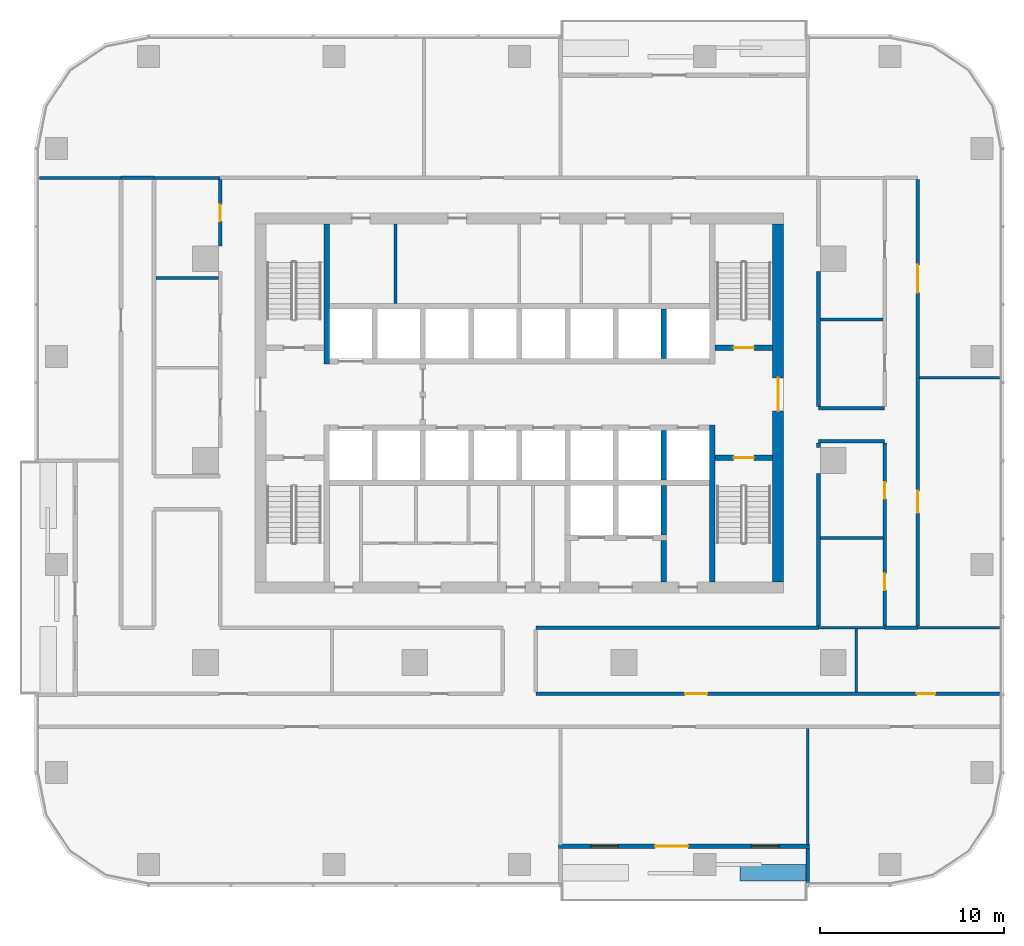
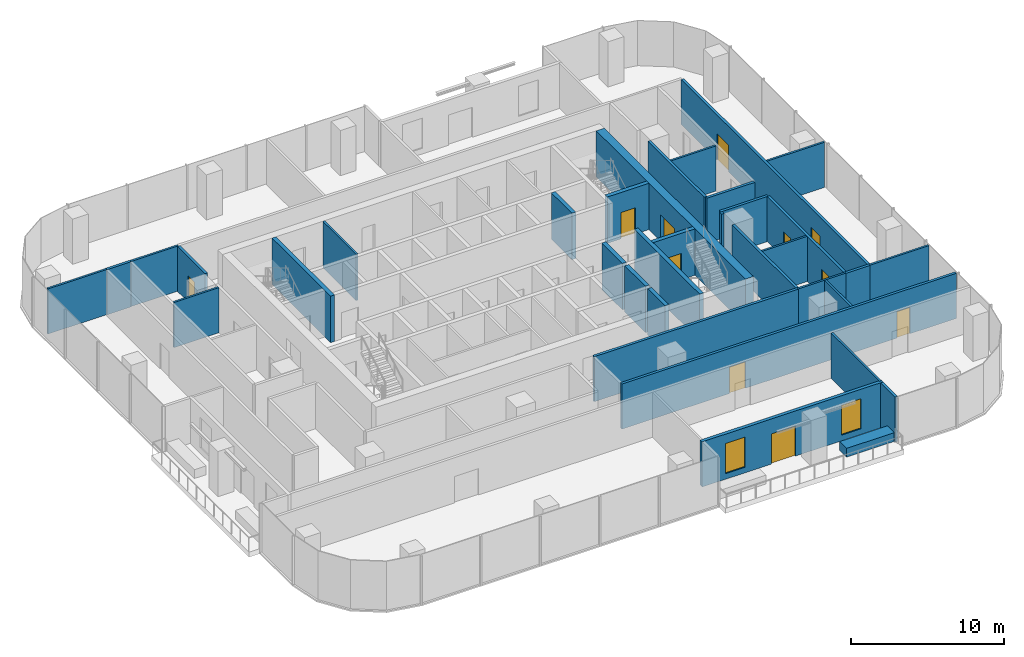
# One storey, part 9 of 14: 35 walls, 11 doors, 2 windows, 13 openings.
"""IFC4 building model written with IfcOpenShell, lengths in metres."""

from ifc_helpers import new_model, si_unit, direction, frame, frame_2d, origin, place, context, subcontext, project, spatial, rectangle, extrude, material, layer, layer_set, type_object, element, fill, save


model = new_model("IFC4")

# Units and contexts
model_context = context("Model", 3, precision=1e-05, world=origin(), true_north=direction((0.0, 1.0)))
body_context = subcontext(model_context, "Body", "Model", "MODEL_VIEW")
ifc_project = project(units=[si_unit("LENGTHUNIT", "METRE"), si_unit("AREAUNIT", "SQUARE_METRE"), si_unit("VOLUMEUNIT", "CUBIC_METRE"), si_unit("PLANEANGLEUNIT", "RADIAN"), si_unit("MASSUNIT", "GRAM", prefix="KILO")], contexts=[model_context])

# Site, building, storey
site_placement = place(None, origin())
site = spatial("IfcSite", under=ifc_project, at=site_placement, CompositionType="ELEMENT")
building_placement = place(site_placement, origin())
building = spatial("IfcBuilding", under=site, at=building_placement, Name="Mopane Tessera Tower", CompositionType="ELEMENT")
storey_placement = place(building_placement, frame((0.0, 0.0, 185.0)))
storey = spatial("IfcBuildingStorey", under=building, at=storey_placement, Name="L38", CompositionType="ELEMENT", Elevation=185.0)

# Wall
ifc_material_1 = material(Name="Fire-rated gypsum board partition")
ifc_layer_1 = layer(ifc_material_1, 0.14990234375)
ifc_layer_set_1 = layer_set([ifc_layer_1], Name="Fire-rated gypsum board partition")
wall_type_1 = type_object("IfcWallType", Name="Core room partition 150 mm", PredefinedType="PARTITIONING", material=ifc_layer_set_1)
wall_1_placement = place(storey_placement, frame((-6.75, 8.550048828125, 0.0), z_axis=(0.0, 0.0, 1.0), x_axis=(0.0, 1.0, 0.0)))
element("IfcWall", 1, at=wall_1_placement, inside=storey, type_object=wall_type_1, Name="L38 Room partition", PredefinedType="PARTITIONING", context=body_context, shape_type="SweptSolid", body=[
    extrude(rectangle(XDim=4.349853515625, YDim=0.14990234375, at=frame_2d((2.1748046875, 0.0))), origin(), (0.0, 0.0, 1.0), 3.699951171875),
])

# Wall, opening, door
ifc_material_2 = material(Name="Concrete C70/85", Category="concrete")
ifc_layer_2 = layer(ifc_material_2, 0.60009765625)
ifc_layer_set_2 = layer_set([ifc_layer_2], Name="Concrete C70/85")
wall_type_2 = type_object("IfcWallType", Name="Core shear wall 600 mm", PredefinedType="SHEAR", material=ifc_layer_set_2)
wall_2_placement = place(storey_placement, frame((14.10009765625, -6.60009765625, 0.0), z_axis=(0.0, 0.0, 1.0), x_axis=(0.0, 1.0, 0.0)))
wall_2 = element("IfcWall", 2, at=wall_2_placement, inside=storey, type_object=wall_type_2, Name="L38 Core wall east", PredefinedType="SHEAR", context=body_context, shape_type="SweptSolid", body=[
    extrude(rectangle(XDim=19.5, YDim=0.60009765625, at=frame_2d((9.75, 0.0))), origin(), (0.0, 0.0, 1.0), 3.699951171875),
])
opening_1_placement = place(wall_2_placement, frame((9.300048828125, 0.0, 0.0)))
opening_1 = element("IfcOpeningElement", 3, at=opening_1_placement, cuts=wall_2, Name="Opening SD2", PredefinedType="OPENING", context=body_context, shape_type="SweptSolid", body=[
    extrude(rectangle(XDim=1.800048828125, YDim=2.10009765625, at=frame_2d((0.89990234375, 1.050048828125))), frame((0.0, 0.31201171875, 0.0), z_axis=(0.0, -1.0, 0.0), x_axis=(1.0, 0.0, 0.0)), (0.0, 0.0, 1.0), 0.6240234375),
])
ifc_material_3 = material(Name="Steel fire door", Category="steel")
door_type_1 = type_object("IfcDoorType", Name="Core entrance double door 1800 x 2100", OperationType="DOUBLE_DOOR_SINGLE_SWING", PredefinedType="DOOR", material=ifc_material_3)
door_1_placement = place(opening_1_placement, origin())
door_1 = element("IfcDoor", 4, at=door_1_placement, inside=storey, type_object=door_type_1, Name="L38 Core entrance door east", OperationType="DOUBLE_DOOR_SINGLE_SWING", OverallHeight=2.10009765625, OverallWidth=1.800048828125, PredefinedType="DOOR", context=body_context, shape_type="SweptSolid", body=[
    extrude(rectangle(XDim=1.800048828125, YDim=2.10009765625, at=frame_2d((0.89990234375, 1.050048828125))), frame((0.0, 0.02490234375, 0.0), z_axis=(0.0, -1.0, 0.0), x_axis=(1.0, 0.0, 0.0)), (0.0, 0.0, 1.0), 0.050048828125),
])
fill(opening_1, door_1)

# Walls
ifc_material_4 = material(Name="Concrete C60/75", Category="concrete")
ifc_layer_3 = layer(ifc_material_4, 0.300048828125)
ifc_layer_set_3 = layer_set([ifc_layer_3], Name="Concrete C60/75")
wall_type_3 = type_object("IfcWallType", Name="Core spine wall 300 mm", PredefinedType="SHEAR", material=ifc_layer_set_3)
wall_3_placement = place(storey_placement, frame((-10.5, 5.25, 0.0), z_axis=(0.0, 0.0, 1.0), x_axis=(0.0, 1.0, 0.0)))
element("IfcWall", 5, at=wall_3_placement, inside=storey, type_object=wall_type_3, Name="L38 Core spine wall", PredefinedType="SHEAR", context=body_context, shape_type="SweptSolid", body=[
    extrude(rectangle(XDim=7.64990234375, YDim=0.300048828125, at=frame_2d((3.824951171875, 0.0))), origin(), (0.0, 0.0, 1.0), 3.699951171875),
])
wall_4_placement = place(storey_placement, frame((10.5, -6.60009765625, 0.0), z_axis=(0.0, 0.0, 1.0), x_axis=(0.0, 1.0, 0.0)))
element("IfcWall", 6, at=wall_4_placement, inside=storey, type_object=wall_type_3, Name="L38 Core spine wall", PredefinedType="SHEAR", context=body_context, shape_type="SweptSolid", body=[
    extrude(rectangle(XDim=8.550048828125, YDim=0.300048828125, at=frame_2d((4.27490234375, 0.0))), origin(), (0.0, 0.0, 1.0), 3.699951171875),
])

# Wall, openings, doors
ifc_material_5 = material(Name="Gypsum board on steel studs, two layers each face, mineral wool infill", Category="steel")
ifc_layer_4 = layer(ifc_material_5, 0.199951171875)
ifc_layer_set_4 = layer_set([ifc_layer_4], Name="Gypsum board on steel studs, two layers each face, mineral wool infill")
wall_type_4 = type_object("IfcWallType", Name="Gypsum board corridor wall 200, rated EI 60", PredefinedType="PARTITIONING", material=ifc_layer_set_4)
wall_5_placement = place(storey_placement, frame((0.89990234375, -12.699951171875, 0.0), z_axis=(0.0, 0.0, 1.0), x_axis=(1.0, 0.0, 0.0)))
wall_5 = element("IfcWall", 7, at=wall_5_placement, inside=storey, type_object=wall_type_4, Name="Partition L38:002", PredefinedType="PARTITIONING", context=body_context, shape_type="SweptSolid", body=[
    extrude(rectangle(XDim=25.25, YDim=0.199951171875, at=frame_2d((12.625, 0.0))), origin(), (0.0, 0.0, 1.0), 3.60009765625),
])
opening_2_placement = place(wall_5_placement, frame((20.75, 0.0, 0.0)))
opening_2 = element("IfcOpeningElement", 8, at=opening_2_placement, cuts=wall_5, Name="Opening L38-09", PredefinedType="OPENING", context=body_context, shape_type="SweptSolid", body=[
    extrude(rectangle(XDim=1.0, YDim=2.10009765625, at=frame_2d((0.5, 1.050048828125))), frame((0.0, 0.112060546875, 0.0), z_axis=(0.0, -1.0, 0.0), x_axis=(1.0, 0.0, 0.0)), (0.0, 0.0, 1.0), 0.223876953125),
])
opening_3_placement = place(wall_5_placement, frame((8.125, 0.0, 0.0)))
opening_3 = element("IfcOpeningElement", 9, at=opening_3_placement, cuts=wall_5, Name="Opening L38-10", PredefinedType="OPENING", context=body_context, shape_type="SweptSolid", body=[
    extrude(rectangle(XDim=1.199951171875, YDim=2.10009765625, at=frame_2d((0.60009765625, 1.050048828125))), frame((0.0, 0.112060546875, 0.0), z_axis=(0.0, -1.0, 0.0), x_axis=(1.0, 0.0, 0.0)), (0.0, 0.0, 1.0), 0.223876953125),
])
ifc_material_6 = material(Name="Timber veneered steel-framed fire door", Category="steel")
door_type_2 = type_object("IfcDoorType", Name="Fire door FD60 1000 x 2100", OperationType="SINGLE_SWING_LEFT", PredefinedType="DOOR", material=ifc_material_6)
door_2_placement = place(opening_2_placement, origin())
door_2 = element("IfcDoor", 10, at=door_2_placement, inside=storey, type_object=door_type_2, Name="Door L38-09", ObjectType="D12A", OperationType="SINGLE_SWING_RIGHT", OverallHeight=2.10009765625, OverallWidth=1.0, PredefinedType="DOOR", context=body_context, shape_type="SweptSolid", body=[
    extrude(rectangle(XDim=1.0, YDim=2.10009765625, at=frame_2d((0.5, 1.050048828125))), frame((0.0, 0.02490234375, 0.0), z_axis=(0.0, -1.0, 0.0), x_axis=(1.0, 0.0, 0.0)), (0.0, 0.0, 1.0), 0.050048828125),
])
fill(opening_2, door_2)
ifc_material_7 = material(Name="Timber veneered steel-framed fire door", Category="steel")
door_type_3 = type_object("IfcDoorType", Name="Fire door FD60 1200 x 2100", OperationType="SINGLE_SWING_LEFT", PredefinedType="DOOR", material=ifc_material_7)
door_3_placement = place(opening_3_placement, origin())
door_3 = element("IfcDoor", 11, at=door_3_placement, inside=storey, type_object=door_type_3, Name="Door L38-10", ObjectType="D15A", OperationType="SINGLE_SWING_LEFT", OverallHeight=2.10009765625, OverallWidth=1.199951171875, PredefinedType="DOOR", context=body_context, shape_type="SweptSolid", body=[
    extrude(rectangle(XDim=1.199951171875, YDim=2.10009765625, at=frame_2d((0.60009765625, 1.050048828125))), frame((0.0, 0.02490234375, 0.0), z_axis=(0.0, -1.0, 0.0), x_axis=(1.0, 0.0, 0.0)), (0.0, 0.0, 1.0), 0.050048828125),
])
fill(opening_3, door_3)

# Walls
wall_6_placement = place(storey_placement, frame((0.89990234375, -9.10009765625, 0.0), z_axis=(0.0, 0.0, 1.0), x_axis=(1.0, 0.0, 0.0)))
element("IfcWall", 12, at=wall_6_placement, inside=storey, type_object=wall_type_4, Name="Partition L38:007", PredefinedType="PARTITIONING", context=body_context, shape_type="SweptSolid", body=[
    extrude(rectangle(XDim=15.400146484375, YDim=0.199951171875, at=frame_2d((7.7001953125, 0.0))), origin(), (0.0, 0.0, 1.0), 3.60009765625),
])
wall_7_placement = place(storey_placement, frame((19.89990234375, -9.10009765625, 0.0), z_axis=(0.0, 0.0, 1.0), x_axis=(1.0, 0.0, 0.0)))
element("IfcWall", 13, at=wall_7_placement, inside=storey, type_object=wall_type_4, Name="Partition L38:008", PredefinedType="PARTITIONING", context=body_context, shape_type="SweptSolid", body=[
    extrude(rectangle(XDim=1.800048828125, YDim=0.199951171875, at=frame_2d((0.89990234375, 0.0))), origin(), (0.0, 0.0, 1.0), 3.60009765625),
])
for number, where, z_axis, x_axis, name in (
    (14, (16.300048828125, 1.050048828125, 0.0), (0.0, 0.0, 1.0), (1.0, 0.0, 0.0), "Partition L38:013"),
    (15, (16.300048828125, 2.85009765625, 0.0), (0.0, 0.0, 1.0), (1.0, 0.0, 0.0), "Partition L38:014"),
):
    element("IfcWall", number, at=place(storey_placement, frame(where, z_axis=z_axis, x_axis=x_axis)), inside=storey, type_object=wall_type_4, Name=name, PredefinedType="PARTITIONING", context=body_context, shape_type="SweptSolid", body=[
        extrude(rectangle(XDim=3.599853515625, YDim=0.199951171875, at=frame_2d((1.7998046875, 0.0))), origin(), (0.0, 0.0, 1.0), 3.60009765625),
    ])
wall_8_placement = place(storey_placement, frame((-21.699951171875, 15.39990234375, 0.0), z_axis=(0.0, 0.0, 1.0), x_axis=(1.0, 0.0, 0.0)))
element("IfcWall", 16, at=wall_8_placement, inside=storey, type_object=wall_type_4, Name="Partition L38:022", PredefinedType="PARTITIONING", context=body_context, shape_type="SweptSolid", body=[
    extrude(rectangle(XDim=1.800048828125, YDim=0.199951171875, at=frame_2d((0.89990234375, 0.0))), origin(), (0.0, 0.0, 1.0), 3.60009765625),
])

# Wall, opening, door
wall_9_placement = place(storey_placement, frame((-16.300048828125, 11.699951171875, 0.0), z_axis=(0.0, 0.0, 1.0), x_axis=(0.0, 1.0, 0.0)))
wall_9 = element("IfcWall", 17, at=wall_9_placement, inside=storey, type_object=wall_type_4, Name="Partition L38:030", PredefinedType="PARTITIONING", context=body_context, shape_type="SweptSolid", body=[
    extrude(rectangle(XDim=3.60009765625, YDim=0.199951171875, at=frame_2d((1.800048828125, 0.0))), origin(), (0.0, 0.0, 1.0), 3.60009765625),
])
opening_4_placement = place(wall_9_placement, frame((1.35009765625, 0.0, 0.0)))
opening_4 = element("IfcOpeningElement", 18, at=opening_4_placement, cuts=wall_9, Name="Opening L38-17", PredefinedType="OPENING", context=body_context, shape_type="SweptSolid", body=[
    extrude(rectangle(XDim=0.89990234375, YDim=2.10009765625, at=frame_2d((0.449951171875, 1.050048828125))), frame((0.0, 0.112060546875, 0.0), z_axis=(0.0, -1.0, 0.0), x_axis=(1.0, 0.0, 0.0)), (0.0, 0.0, 1.0), 0.223876953125),
])
ifc_material_8 = material(Name="Timber veneered steel-framed fire door", Category="steel")
door_type_4 = type_object("IfcDoorType", Name="Fire door FD60 900 x 2100", OperationType="SINGLE_SWING_LEFT", PredefinedType="DOOR", material=ifc_material_8)
door_4_placement = place(opening_4_placement, origin())
door_4 = element("IfcDoor", 19, at=door_4_placement, inside=storey, type_object=door_type_4, Name="Door L38-17", ObjectType="D10A", OperationType="SINGLE_SWING_RIGHT", OverallHeight=2.10009765625, OverallWidth=0.89990234375, PredefinedType="DOOR", context=body_context, shape_type="SweptSolid", body=[
    extrude(rectangle(XDim=0.89990234375, YDim=2.10009765625, at=frame_2d((0.449951171875, 1.050048828125))), frame((0.0, 0.02490234375, 0.0), z_axis=(0.0, -1.0, 0.0), x_axis=(1.0, 0.0, 0.0)), (0.0, 0.0, 1.0), 0.050048828125),
])
fill(opening_4, door_4)

# Walls
wall_10_placement = place(storey_placement, frame((16.300048828125, -9.0, 0.0), z_axis=(0.0, 0.0, 1.0), x_axis=(0.0, 1.0, 0.0)))
element("IfcWall", 20, at=wall_10_placement, inside=storey, type_object=wall_type_4, Name="Partition L38:039", PredefinedType="PARTITIONING", context=body_context, shape_type="SweptSolid", body=[
    extrude(rectangle(XDim=8.300048828125, YDim=0.199951171875, at=frame_2d((4.14990234375, 0.0))), origin(), (0.0, 0.0, 1.0), 3.60009765625),
])
wall_11_placement = place(storey_placement, frame((16.300048828125, 0.699951171875, 0.0), z_axis=(0.0, 0.0, 1.0), x_axis=(0.0, 1.0, 0.0)))
element("IfcWall", 21, at=wall_11_placement, inside=storey, type_object=wall_type_4, Name="Partition L38:040", PredefinedType="PARTITIONING", context=body_context, shape_type="SweptSolid", body=[
    extrude(rectangle(XDim=0.25, YDim=0.199951171875, at=frame_2d((0.125, 0.0))), origin(), (0.0, 0.0, 1.0), 3.60009765625),
])
wall_12_placement = place(storey_placement, frame((16.300048828125, 2.949951171875, 0.0), z_axis=(0.0, 0.0, 1.0), x_axis=(0.0, 1.0, 0.0)))
element("IfcWall", 22, at=wall_12_placement, inside=storey, type_object=wall_type_4, Name="Partition L38:041", PredefinedType="PARTITIONING", context=body_context, shape_type="SweptSolid", body=[
    extrude(rectangle(XDim=7.35009765625, YDim=0.199951171875, at=frame_2d((3.675048828125, 0.0))), origin(), (0.0, 0.0, 1.0), 3.60009765625),
])

# Wall, openings, doors
wall_13_placement = place(storey_placement, frame((19.89990234375, -9.0, 0.0), z_axis=(0.0, 0.0, 1.0), x_axis=(0.0, 1.0, 0.0)))
wall_13 = element("IfcWall", 23, at=wall_13_placement, inside=storey, type_object=wall_type_4, Name="Partition L38:044", PredefinedType="PARTITIONING", context=body_context, shape_type="SweptSolid", body=[
    extrude(rectangle(XDim=9.949951171875, YDim=0.199951171875, at=frame_2d((4.97509765625, 0.0))), origin(), (0.0, 0.0, 1.0), 3.60009765625),
])
opening_5_placement = place(wall_13_placement, frame((1.9423828125, 0.0, 0.0)))
opening_5 = element("IfcOpeningElement", 24, at=opening_5_placement, cuts=wall_13, Name="Opening L38-05", PredefinedType="OPENING", context=body_context, shape_type="SweptSolid", body=[
    extrude(rectangle(XDim=0.89990234375, YDim=2.10009765625, at=frame_2d((0.449951171875, 1.050048828125))), frame((0.0, 0.112060546875, 0.0), z_axis=(0.0, -1.0, 0.0), x_axis=(1.0, 0.0, 0.0)), (0.0, 0.0, 1.0), 0.223876953125),
])
opening_6_placement = place(wall_13_placement, frame((6.91748046875, 0.0, 0.0)))
opening_6 = element("IfcOpeningElement", 25, at=opening_6_placement, cuts=wall_13, Name="Opening L38-07", PredefinedType="OPENING", context=body_context, shape_type="SweptSolid", body=[
    extrude(rectangle(XDim=0.89990234375, YDim=2.10009765625, at=frame_2d((0.449951171875, 1.050048828125))), frame((0.0, 0.112060546875, 0.0), z_axis=(0.0, -1.0, 0.0), x_axis=(1.0, 0.0, 0.0)), (0.0, 0.0, 1.0), 0.223876953125),
])
door_5_placement = place(opening_5_placement, origin())
door_5 = element("IfcDoor", 26, at=door_5_placement, inside=storey, type_object=door_type_4, Name="Door L38-05", ObjectType="D10A", OperationType="SINGLE_SWING_RIGHT", OverallHeight=2.10009765625, OverallWidth=0.89990234375, PredefinedType="DOOR", context=body_context, shape_type="SweptSolid", body=[
    extrude(rectangle(XDim=0.89990234375, YDim=2.10009765625, at=frame_2d((0.449951171875, 1.050048828125))), frame((0.0, 0.02490234375, 0.0), z_axis=(0.0, -1.0, 0.0), x_axis=(1.0, 0.0, 0.0)), (0.0, 0.0, 1.0), 0.050048828125),
])
fill(opening_5, door_5)
door_6_placement = place(opening_6_placement, origin())
door_6 = element("IfcDoor", 27, at=door_6_placement, inside=storey, type_object=door_type_4, Name="Door L38-07", ObjectType="D10A", OperationType="SINGLE_SWING_RIGHT", OverallHeight=2.10009765625, OverallWidth=0.89990234375, PredefinedType="DOOR", context=body_context, shape_type="SweptSolid", body=[
    extrude(rectangle(XDim=0.89990234375, YDim=2.10009765625, at=frame_2d((0.449951171875, 1.050048828125))), frame((0.0, 0.02490234375, 0.0), z_axis=(0.0, -1.0, 0.0), x_axis=(1.0, 0.0, 0.0)), (0.0, 0.0, 1.0), 0.050048828125),
])
fill(opening_6, door_6)

wall_14_placement = place(storey_placement, frame((21.699951171875, -9.0, 0.0), z_axis=(0.0, 0.0, 1.0), x_axis=(0.0, 1.0, 0.0)))
wall_14 = element("IfcWall", 28, at=wall_14_placement, inside=storey, type_object=wall_type_4, Name="Partition L38:046", PredefinedType="PARTITIONING", context=body_context, shape_type="SweptSolid", body=[
    extrude(rectangle(XDim=24.300048828125, YDim=0.199951171875, at=frame_2d((12.14990234375, 0.0))), origin(), (0.0, 0.0, 1.0), 3.60009765625),
])
opening_7_placement = place(wall_14_placement, frame((18.155029296875, 0.0, 0.0)))
opening_7 = element("IfcOpeningElement", 29, at=opening_7_placement, cuts=wall_14, Name="Opening L38-02", PredefinedType="OPENING", context=body_context, shape_type="SweptSolid", body=[
    extrude(rectangle(XDim=1.5, YDim=2.10009765625, at=frame_2d((0.75, 1.050048828125))), frame((0.0, 0.112060546875, 0.0), z_axis=(0.0, -1.0, 0.0), x_axis=(1.0, 0.0, 0.0)), (0.0, 0.0, 1.0), 0.223876953125),
])
opening_8_placement = place(wall_14_placement, frame((6.155029296875, 0.0, 0.0)))
opening_8 = element("IfcOpeningElement", 30, at=opening_8_placement, cuts=wall_14, Name="Opening L38-16", PredefinedType="OPENING", context=body_context, shape_type="SweptSolid", body=[
    extrude(rectangle(XDim=1.199951171875, YDim=2.10009765625, at=frame_2d((0.60009765625, 1.050048828125))), frame((0.0, 0.112060546875, 0.0), z_axis=(0.0, -1.0, 0.0), x_axis=(1.0, 0.0, 0.0)), (0.0, 0.0, 1.0), 0.223876953125),
])
door_7_placement = place(opening_8_placement, origin())
door_7 = element("IfcDoor", 31, at=door_7_placement, inside=storey, type_object=door_type_3, Name="Door L38-16", ObjectType="D15A", OperationType="SINGLE_SWING_RIGHT", OverallHeight=2.10009765625, OverallWidth=1.199951171875, PredefinedType="DOOR", context=body_context, shape_type="SweptSolid", body=[
    extrude(rectangle(XDim=1.199951171875, YDim=2.10009765625, at=frame_2d((0.60009765625, 1.050048828125))), frame((0.0, 0.02490234375, 0.0), z_axis=(0.0, -1.0, 0.0), x_axis=(1.0, 0.0, 0.0)), (0.0, 0.0, 1.0), 0.050048828125),
])
fill(opening_8, door_7)
ifc_material_9 = material(Name="Timber veneered steel-framed fire door", Category="steel")
door_type_5 = type_object("IfcDoorType", Name="Fire door pair FD60 1500 x 2100", OperationType="DOUBLE_DOOR_SINGLE_SWING", PredefinedType="DOOR", material=ifc_material_9)
door_8_placement = place(opening_7_placement, origin())
door_8 = element("IfcDoor", 32, at=door_8_placement, inside=storey, type_object=door_type_5, Name="Door L38-02", ObjectType="D17A", OperationType="DOUBLE_DOOR_SINGLE_SWING", OverallHeight=2.10009765625, OverallWidth=1.5, PredefinedType="DOOR", context=body_context, shape_type="SweptSolid", body=[
    extrude(rectangle(XDim=1.5, YDim=2.10009765625, at=frame_2d((0.75, 1.050048828125))), frame((0.0, 0.02490234375, 0.0), z_axis=(0.0, -1.0, 0.0), x_axis=(1.0, 0.0, 0.0)), (0.0, 0.0, 1.0), 0.050048828125),
])
fill(opening_7, door_8)

# Walls
ifc_material_10 = material(Name="Gypsum board on steel studs, mineral wool infill", Category="steel")
ifc_layer_5 = layer(ifc_material_10, 0.14990234375)
ifc_layer_set_5 = layer_set([ifc_layer_5], Name="Gypsum board on steel studs, mineral wool infill")
wall_type_5 = type_object("IfcWallType", Name="Gypsum board partition 150, rated EI 60", PredefinedType="PARTITIONING", material=ifc_layer_set_5)
wall_15_placement = place(storey_placement, frame((16.300048828125, -9.10009765625, 0.0), z_axis=(0.0, 0.0, 1.0), x_axis=(1.0, 0.0, 0.0)))
element("IfcWall", 33, at=wall_15_placement, inside=storey, type_object=wall_type_5, Name="Partition L38:003", PredefinedType="PARTITIONING", context=body_context, shape_type="SweptSolid", body=[
    extrude(rectangle(XDim=3.599853515625, YDim=0.14990234375, at=frame_2d((1.7998046875, 0.0))), origin(), (0.0, 0.0, 1.0), 3.60009765625),
])
wall_16_placement = place(storey_placement, frame((21.699951171875, -9.10009765625, 0.0), z_axis=(0.0, 0.0, 1.0), x_axis=(1.0, 0.0, 0.0)))
element("IfcWall", 34, at=wall_16_placement, inside=storey, type_object=wall_type_5, Name="Partition L38:004", PredefinedType="PARTITIONING", context=body_context, shape_type="SweptSolid", body=[
    extrude(rectangle(XDim=4.449951171875, YDim=0.14990234375, at=frame_2d((2.22509765625, 0.0))), origin(), (0.0, 0.0, 1.0), 3.60009765625),
])
wall_17_placement = place(storey_placement, frame((16.39990234375, -4.215087890625, 0.0), z_axis=(0.0, 0.0, 1.0), x_axis=(1.0, 0.0, 0.0)))
element("IfcWall", 35, at=wall_17_placement, inside=storey, type_object=wall_type_5, Name="Partition L38:009", PredefinedType="PARTITIONING", context=body_context, shape_type="SweptSolid", body=[
    extrude(rectangle(XDim=3.400146484375, YDim=0.14990234375, at=frame_2d((1.7001953125, 0.0))), origin(), (0.0, 0.0, 1.0), 3.60009765625),
])
wall_18_placement = place(storey_placement, frame((21.800048828125, 4.510009765625, 0.0), z_axis=(0.0, 0.0, 1.0), x_axis=(1.0, 0.0, 0.0)))
element("IfcWall", 36, at=wall_18_placement, inside=storey, type_object=wall_type_5, Name="Partition L38:015", PredefinedType="PARTITIONING", context=body_context, shape_type="SweptSolid", body=[
    extrude(rectangle(XDim=4.349853515625, YDim=0.14990234375, at=frame_2d((2.1748046875, 0.0))), origin(), (0.0, 0.0, 1.0), 3.60009765625),
])
for number, where, z_axis, x_axis, name in (
    (37, (16.39990234375, 7.68505859375, 0.0), (0.0, 0.0, 1.0), (1.0, 0.0, 0.0), "Partition L38:017"),
    (38, (-19.800048828125, 9.945068359375, 0.0), (0.0, 0.0, 1.0), (1.0, 0.0, 0.0), "Partition L38:018"),
):
    element("IfcWall", number, at=place(storey_placement, frame(where, z_axis=z_axis, x_axis=x_axis)), inside=storey, type_object=wall_type_5, Name=name, PredefinedType="PARTITIONING", context=body_context, shape_type="SweptSolid", body=[
        extrude(rectangle(XDim=3.400146484375, YDim=0.14990234375, at=frame_2d((1.7001953125, 0.0))), origin(), (0.0, 0.0, 1.0), 3.60009765625),
    ])
wall_19_placement = place(storey_placement, frame((-26.14990234375, 15.39990234375, 0.0), z_axis=(0.0, 0.0, 1.0), x_axis=(1.0, 0.0, 0.0)))
element("IfcWall", 39, at=wall_19_placement, inside=storey, type_object=wall_type_5, Name="Partition L38:019", PredefinedType="PARTITIONING", context=body_context, shape_type="SweptSolid", body=[
    extrude(rectangle(XDim=4.449951171875, YDim=0.14990234375, at=frame_2d((2.22509765625, 0.0))), origin(), (0.0, 0.0, 1.0), 3.60009765625),
])
wall_20_placement = place(storey_placement, frame((-19.89990234375, 15.39990234375, 0.0), z_axis=(0.0, 0.0, 1.0), x_axis=(1.0, 0.0, 0.0)))
element("IfcWall", 40, at=wall_20_placement, inside=storey, type_object=wall_type_5, Name="Partition L38:020", PredefinedType="PARTITIONING", context=body_context, shape_type="SweptSolid", body=[
    extrude(rectangle(XDim=3.599853515625, YDim=0.14990234375, at=frame_2d((1.7998046875, 0.0))), origin(), (0.0, 0.0, 1.0), 3.60009765625),
])
wall_21_placement = place(storey_placement, frame((15.7099609375, -20.949951171875, 0.0), z_axis=(0.0, 0.0, 1.0), x_axis=(0.0, 1.0, 0.0)))
element("IfcWall", 41, at=wall_21_placement, inside=storey, type_object=wall_type_5, Name="Partition L38:037", PredefinedType="PARTITIONING", context=body_context, shape_type="SweptSolid", body=[
    extrude(rectangle(XDim=6.349853515625, YDim=0.14990234375, at=frame_2d((3.1748046875, 0.0))), origin(), (0.0, 0.0, 1.0), 3.60009765625),
])
wall_22_placement = place(storey_placement, frame((18.35009765625, -12.60009765625, 0.0), z_axis=(0.0, 0.0, 1.0), x_axis=(0.0, 1.0, 0.0)))
element("IfcWall", 42, at=wall_22_placement, inside=storey, type_object=wall_type_5, Name="Partition L38:043", PredefinedType="PARTITIONING", context=body_context, shape_type="SweptSolid", body=[
    extrude(rectangle(XDim=3.425048828125, YDim=0.14990234375, at=frame_2d((1.71240234375, 0.0))), origin(), (0.0, 0.0, 1.0), 3.60009765625),
])

# Wall, opening, door
ifc_material_11 = material(Name="Concrete C50/60", Category="concrete")
ifc_layer_6 = layer(ifc_material_11, 0.300048828125)
ifc_layer_set_6 = layer_set([ifc_layer_6], Name="Concrete C50/60")
wall_type_6 = type_object("IfcWallType", Name="Lift and stair shaft wall 300 mm", PredefinedType="SOLIDWALL", material=ifc_layer_set_6)
wall_23_placement = place(storey_placement, frame((10.64990234375, 0.14990234375, 0.0), z_axis=(0.0, 0.0, 1.0), x_axis=(1.0, 0.0, 0.0)))
wall_23 = element("IfcWall", 43, at=wall_23_placement, inside=storey, type_object=wall_type_6, Name="L38 Stair enclosure wall", PredefinedType="SOLIDWALL", context=body_context, shape_type="SweptSolid", body=[
    extrude(rectangle(XDim=3.150146484375, YDim=0.300048828125, at=frame_2d((1.5751953125, 0.0))), origin(), (0.0, 0.0, 1.0), 3.699951171875),
])
opening_9_placement = place(wall_23_placement, frame((1.02490234375, 0.0, 0.0)))
opening_9 = element("IfcOpeningElement", 44, at=opening_9_placement, cuts=wall_23, Name="Opening SD1", PredefinedType="OPENING", context=body_context, shape_type="SweptSolid", body=[
    extrude(rectangle(XDim=1.10009765625, YDim=2.10009765625, at=frame_2d((0.550048828125, 1.050048828125))), frame((0.0, 0.162109375, 0.0), z_axis=(0.0, -1.0, 0.0), x_axis=(1.0, 0.0, 0.0)), (0.0, 0.0, 1.0), 0.323974609375),
])
ifc_material_12 = material(Name="Steel fire door", Category="steel")
door_type_6 = type_object("IfcDoorType", Name="Stair fire door 1100 x 2100", OperationType="SINGLE_SWING_LEFT", PredefinedType="DOOR", material=ifc_material_12)
door_9_placement = place(opening_9_placement, origin())
door_9 = element("IfcDoor", 45, at=door_9_placement, inside=storey, type_object=door_type_6, Name="L38 Stair door ST3", OperationType="SINGLE_SWING_RIGHT", OverallHeight=2.10009765625, OverallWidth=1.10009765625, PredefinedType="DOOR", context=body_context, shape_type="SweptSolid", body=[
    extrude(rectangle(XDim=1.10009765625, YDim=2.10009765625, at=frame_2d((0.550048828125, 1.050048828125))), frame((0.0, 0.02490234375, 0.0), z_axis=(0.0, -1.0, 0.0), x_axis=(1.0, 0.0, 0.0)), (0.0, 0.0, 1.0), 0.050048828125),
])
fill(opening_9, door_9)

wall_24_placement = place(storey_placement, frame((10.64990234375, 6.14990234375, 0.0), z_axis=(0.0, 0.0, 1.0), x_axis=(1.0, 0.0, 0.0)))
wall_24 = element("IfcWall", 46, at=wall_24_placement, inside=storey, type_object=wall_type_6, Name="L38 Stair enclosure wall", PredefinedType="SOLIDWALL", context=body_context, shape_type="SweptSolid", body=[
    extrude(rectangle(XDim=3.150146484375, YDim=0.300048828125, at=frame_2d((1.5751953125, 0.0))), origin(), (0.0, 0.0, 1.0), 3.699951171875),
])
opening_10_placement = place(wall_24_placement, frame((1.02490234375, 0.0, 0.0)))
opening_10 = element("IfcOpeningElement", 47, at=opening_10_placement, cuts=wall_24, Name="Opening SD1", PredefinedType="OPENING", context=body_context, shape_type="SweptSolid", body=[
    extrude(rectangle(XDim=1.10009765625, YDim=2.10009765625, at=frame_2d((0.550048828125, 1.050048828125))), frame((0.0, 0.162109375, 0.0), z_axis=(0.0, -1.0, 0.0), x_axis=(1.0, 0.0, 0.0)), (0.0, 0.0, 1.0), 0.323974609375),
])
door_10_placement = place(opening_10_placement, origin())
door_10 = element("IfcDoor", 48, at=door_10_placement, inside=storey, type_object=door_type_6, Name="L38 Stair door ST4", OperationType="SINGLE_SWING_RIGHT", OverallHeight=2.10009765625, OverallWidth=1.10009765625, PredefinedType="DOOR", context=body_context, shape_type="SweptSolid", body=[
    extrude(rectangle(XDim=1.10009765625, YDim=2.10009765625, at=frame_2d((0.550048828125, 1.050048828125))), frame((0.0, 0.02490234375, 0.0), z_axis=(0.0, -1.0, 0.0), x_axis=(1.0, 0.0, 0.0)), (0.0, 0.0, 1.0), 0.050048828125),
])
fill(opening_10, door_10)

# Walls
for number, where, z_axis, x_axis, name in (
    (49, (7.875, -1.050048828125, 0.0), (0.0, 0.0, 1.0), (0.0, 1.0, 0.0), "L38 Lift shaft wall"),
    (50, (7.875, 5.550048828125, 0.0), (0.0, 0.0, 1.0), (0.0, 1.0, 0.0), "L38 Lift shaft wall"),
    (51, (7.875, -4.050048828125, 0.0), (0.0, 0.0, 1.0), (0.0, 1.0, 0.0), "L38 Lift shaft wall"),
):
    element("IfcWall", number, at=place(storey_placement, frame(where, z_axis=z_axis, x_axis=x_axis)), inside=storey, type_object=wall_type_6, Name=name, PredefinedType="SOLIDWALL", context=body_context, shape_type="SweptSolid", body=[
        extrude(rectangle(XDim=2.699951171875, YDim=0.300048828125, at=frame_2d((1.35009765625, 0.0))), origin(), (0.0, 0.0, 1.0), 3.699951171875),
    ])
ifc_material_13 = material(Name="Concrete C50/60", Category="concrete")
ifc_layer_7 = layer(ifc_material_13, 0.300048828125)
ifc_layer_set_7 = layer_set([ifc_layer_7], Name="Concrete C50/60")
wall_type_7 = type_object("IfcWallType", Name="Lobby and refuge room wall 300 mm", PredefinedType="SOLIDWALL", material=ifc_layer_set_7)
wall_25_placement = place(storey_placement, frame((7.875, -6.60009765625, 0.0), z_axis=(0.0, 0.0, 1.0), x_axis=(0.0, 1.0, 0.0)))
element("IfcWall", 52, at=wall_25_placement, inside=storey, type_object=wall_type_7, Name="L38 Service lobby wall", PredefinedType="SOLIDWALL", context=body_context, shape_type="SweptSolid", body=[
    extrude(rectangle(XDim=2.25, YDim=0.300048828125, at=frame_2d((1.125, 0.0))), origin(), (0.0, 0.0, 1.0), 3.699951171875),
])
ifc_material_14 = material(Name="Reinforced concrete C32/40 with waterproofing", Category="concrete")
ifc_layer_8 = layer(ifc_material_14, 0.89990234375)
ifc_layer_set_8 = layer_set([ifc_layer_8], Name="Reinforced concrete C32/40 with waterproofing")
wall_type_8 = type_object("IfcWallType", Name="Planter trough 3600 x 900", PredefinedType="STANDARD", material=ifc_layer_set_8)
wall_26_placement = place(storey_placement, frame((12.01123046875, -22.449951171875, 0.0), z_axis=(0.0, 0.0, 1.0), x_axis=(1.0, 0.0, 0.0)))
element("IfcWall", 53, at=wall_26_placement, inside=storey, type_object=wall_type_8, Name="e:nw:L38:N2:pl1", PredefinedType="STANDARD", context=body_context, shape_type="SweptSolid", body=[
    extrude(rectangle(XDim=3.599853515625, YDim=0.89990234375, at=frame_2d((1.7998046875, 0.0))), origin(), (0.0, 0.0, 1.0), 0.699951171875),
])
ifc_material_15 = material(Name="Blockwork with glazed tile facing", Category="masonry")
ifc_layer_9 = layer(ifc_material_15, 0.199951171875)
ifc_layer_set_9 = layer_set([ifc_layer_9], Name="Blockwork with glazed tile facing")
wall_type_9 = type_object("IfcWallType", Name="Terrace cheek wall 200", PredefinedType="STANDARD", material=ifc_layer_set_9)
wall_27_placement = place(storey_placement, frame((15.711181640625, -23.0, 0.0), z_axis=(0.0, 0.0, 1.0), x_axis=(0.0, 1.0, 0.0)))
element("IfcWall", 54, at=wall_27_placement, inside=storey, type_object=wall_type_9, Name="e:nw:L38:N2:cheekb", PredefinedType="STANDARD", context=body_context, shape_type="SweptSolid", body=[
    extrude(rectangle(XDim=1.875, YDim=0.199951171875, at=frame_2d((0.9375, 0.0))), origin(), (0.0, 0.0, 1.0), 3.60009765625),
])

# Wall, openings, windows, door
ifc_material_16 = material(Name="Blockwork with turquoise glazed tile facing", Category="masonry")
ifc_layer_10 = layer(ifc_material_16, 0.25)
ifc_layer_set_10 = layer_set([ifc_layer_10], Name="Blockwork with turquoise glazed tile facing")
wall_type_10 = type_object("IfcWallType", Name="Tile-clad external wall 250, turquoise", PredefinedType="STANDARD", material=ifc_layer_set_10)
wall_28_placement = place(storey_placement, frame((2.14453125, -21.0, 0.0), z_axis=(0.0, 0.0, 1.0), x_axis=(1.0, 0.0, 0.0)))
wall_28 = element("IfcWall", 55, at=wall_28_placement, inside=storey, type_object=wall_type_10, Name="e:nw:L38:N2:back", PredefinedType="STANDARD", context=body_context, shape_type="SweptSolid", body=[
    extrude(rectangle(XDim=13.66650390625, YDim=0.25, at=frame_2d((6.833251953125, 0.0))), origin(), (0.0, 0.0, 1.0), 3.60009765625),
])
opening_11_placement = place(wall_28_placement, frame((1.75, 0.0, 0.449951171875)))
opening_11 = element("IfcOpeningElement", 56, at=opening_11_placement, cuts=wall_28, Name="Opening NW382A", PredefinedType="OPENING", context=body_context, shape_type="SweptSolid", body=[
    extrude(rectangle(XDim=1.5, YDim=2.39990234375, at=frame_2d((0.75, 1.199951171875))), frame((0.0, 0.136962890625, 0.0), z_axis=(0.0, -1.0, 0.0), x_axis=(1.0, 0.0, 0.0)), (0.0, 0.0, 1.0), 0.27392578125),
])
opening_12_placement = place(wall_28_placement, frame((5.25, 0.0, 0.0)))
opening_12 = element("IfcOpeningElement", 57, at=opening_12_placement, cuts=wall_28, Name="Opening ND382", PredefinedType="OPENING", context=body_context, shape_type="SweptSolid", body=[
    extrude(rectangle(XDim=1.800048828125, YDim=2.39990234375, at=frame_2d((0.89990234375, 1.199951171875))), frame((0.0, 0.136962890625, 0.0), z_axis=(0.0, -1.0, 0.0), x_axis=(1.0, 0.0, 0.0)), (0.0, 0.0, 1.0), 0.27392578125),
])
opening_13_placement = place(wall_28_placement, frame((10.5, 0.0, 0.449951171875)))
opening_13 = element("IfcOpeningElement", 58, at=opening_13_placement, cuts=wall_28, Name="Opening NW382B", PredefinedType="OPENING", context=body_context, shape_type="SweptSolid", body=[
    extrude(rectangle(XDim=1.5, YDim=2.39990234375, at=frame_2d((0.75, 1.199951171875))), frame((0.0, 0.136962890625, 0.0), z_axis=(0.0, -1.0, 0.0), x_axis=(1.0, 0.0, 0.0)), (0.0, 0.0, 1.0), 0.27392578125),
])
ifc_material_17 = material(Name="Clear laminated glass", Category="glass")
window_type = type_object("IfcWindowType", Name="Fixed window 1500 x 2400", PartitioningType="SINGLE_PANEL", PredefinedType="WINDOW", material=ifc_material_17)
window_1_placement = place(opening_11_placement, origin())
window_1 = element("IfcWindow", 59, at=window_1_placement, inside=storey, type_object=window_type, Name="e:nw:L38:N2:win0", OverallHeight=2.39990234375, OverallWidth=1.5, PartitioningType="SINGLE_PANEL", PredefinedType="WINDOW", context=body_context, shape_type="SweptSolid", body=[
    extrude(rectangle(XDim=1.5, YDim=2.39990234375, at=frame_2d((0.75, 1.199951171875))), frame((0.0, 0.030029296875, 0.0), z_axis=(0.0, -1.0, 0.0), x_axis=(1.0, 0.0, 0.0)), (0.0, 0.0, 1.0), 0.06005859375),
])
fill(opening_11, window_1)
window_2_placement = place(opening_13_placement, origin())
window_2 = element("IfcWindow", 60, at=window_2_placement, inside=storey, type_object=window_type, Name="e:nw:L38:N2:win2", OverallHeight=2.39990234375, OverallWidth=1.5, PartitioningType="SINGLE_PANEL", PredefinedType="WINDOW", context=body_context, shape_type="SweptSolid", body=[
    extrude(rectangle(XDim=1.5, YDim=2.39990234375, at=frame_2d((0.75, 1.199951171875))), frame((0.0, 0.030029296875, 0.0), z_axis=(0.0, -1.0, 0.0), x_axis=(1.0, 0.0, 0.0)), (0.0, 0.0, 1.0), 0.06005859375),
])
fill(opening_13, window_2)
ifc_material_18 = material(Name="Aluminium and clear glass", Category="aluminium")
door_type_7 = type_object("IfcDoorType", Name="Terrace double door 1800 x 2400", OperationType="DOUBLE_DOOR_SINGLE_SWING", PredefinedType="DOOR", material=ifc_material_18)
door_11_placement = place(opening_12_placement, origin())
door_11 = element("IfcDoor", 61, at=door_11_placement, inside=storey, type_object=door_type_7, Name="e:nw:L38:N2:door", ObjectType="D1", OperationType="DOUBLE_DOOR_SINGLE_SWING", OverallHeight=2.39990234375, OverallWidth=1.800048828125, PredefinedType="DOOR", context=body_context, shape_type="SweptSolid", body=[
    extrude(rectangle(XDim=1.800048828125, YDim=2.39990234375, at=frame_2d((0.89990234375, 1.199951171875))), frame((0.0, 0.02490234375, 0.0), z_axis=(0.0, -1.0, 0.0), x_axis=(1.0, 0.0, 0.0)), (0.0, 0.0, 1.0), 0.050048828125),
])
fill(opening_12, door_11)

save(model, "model.ifc")
